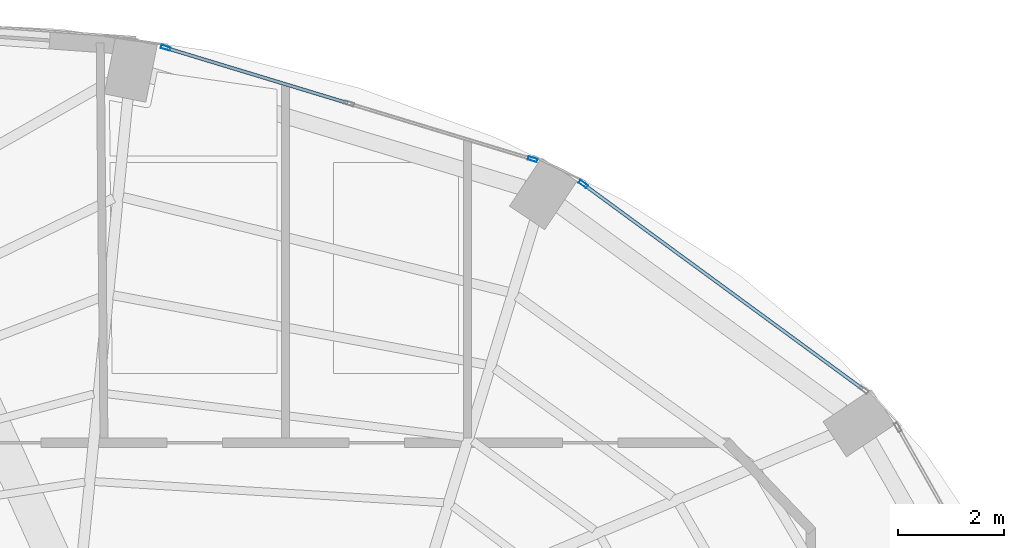
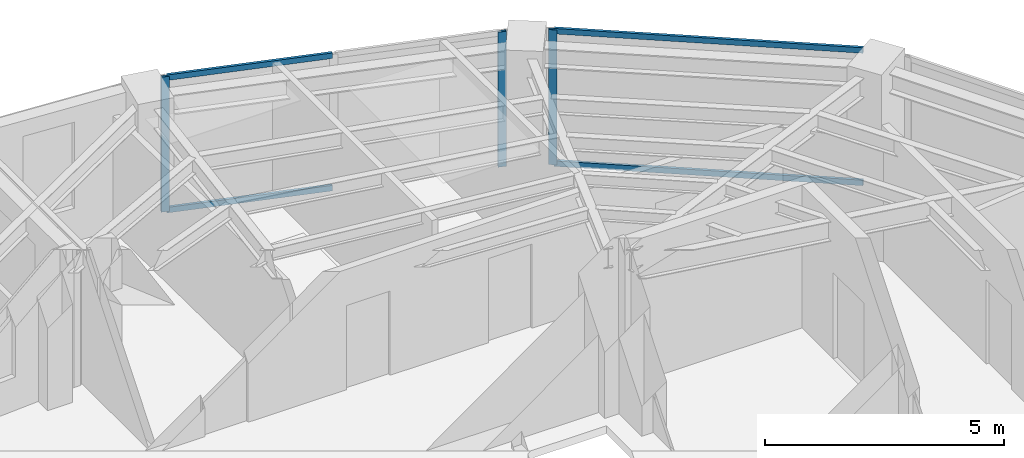
# One storey, part 15 of 21: 7 members, 2 elements without a shape of their own.
"""IFC4 building model written with IfcOpenShell, lengths in metres."""

from ifc_helpers import new_model, si_unit, direction, frame, origin, origin_2d, place, context, subcontext, project, spatial, hollow_rectangle, extrude, material, layer, layer_set, material_profile, profile_set, type_object, element, aggregate, save


model = new_model("IFC4")

# Units and contexts
model_context = context("Model", 3, precision=1e-05, world=origin(), true_north=direction((0.0, 1.0)))
body_context = subcontext(model_context, "Body", "Model", "MODEL_VIEW")
ifc_project = project(units=[si_unit("LENGTHUNIT", "METRE"), si_unit("AREAUNIT", "SQUARE_METRE"), si_unit("VOLUMEUNIT", "CUBIC_METRE"), si_unit("PLANEANGLEUNIT", "RADIAN"), si_unit("MASSUNIT", "GRAM", prefix="KILO")], contexts=[model_context])

# Site, building, storey
site_placement = place(None, origin())
site = spatial("IfcSite", under=ifc_project, at=site_placement, CompositionType="ELEMENT")
building_placement = place(site_placement, origin())
building = spatial("IfcBuilding", under=site, at=building_placement, Name="Lazwardi Medical Tower", CompositionType="ELEMENT")
storey_placement = place(building_placement, frame((0.0, 0.0, 216.719970703125)))
storey = spatial("IfcBuildingStorey", under=building, at=storey_placement, Name="L56", CompositionType="ELEMENT", Elevation=216.719970703125)

# Curtain wall, member
ifc_material_1 = material(Name="Anodised bronze aluminium and solar control glazing", Category="aluminium")
ifc_layer = layer(ifc_material_1, 0.18994140625)
ifc_layer_set = layer_set([ifc_layer], Name="Anodised bronze aluminium and solar control glazing")
curtain_wall_type = type_object("IfcCurtainWallType", Name="CW-SYS-04", PredefinedType="NOTDEFINED", material=ifc_layer_set)
curtain_wall_1_placement = place(storey_placement, origin())
curtain_wall_1 = element("IfcCurtainWall", 1, at=curtain_wall_1_placement, inside=storey, type_object=curtain_wall_type, Name="L56 Unitised bronze curtain wall CW-04", PredefinedType="NOTDEFINED")
ifc_material_2 = material(Name="Anodised bronze aluminium", Category="aluminium")
ifc_material_profile_1 = material_profile(ifc_material_2, hollow_rectangle(XDim=0.06494140625, YDim=0.179931640625, WallThickness=0.00390625, at=origin_2d()), Name="ALU-MULLION 180x65x4")
ifc_profile_set_1 = profile_set([ifc_material_profile_1], Name="Anodised bronze aluminium")
member_type_1 = type_object("IfcMemberType", Name="CW-MUL-03", PredefinedType="MULLION", material=ifc_profile_set_1)
member_1_placement = place(storey_placement, frame((48.75537109375, 43.634765625, 0.0), z_axis=(0.0, 0.0, 1.0), x_axis=(-0.591268230971, -0.806474971121, 0.0)))
member_1 = element("IfcMember", 2, at=member_1_placement, type_object=member_type_1, Name="CW-04 mullion 2", PredefinedType="MULLION", context=body_context, shape_type="SweptSolid", body=[
    extrude(hollow_rectangle(XDim=0.06494140625, YDim=0.179931640625, WallThickness=0.00390625, at=origin_2d()), origin(), (0.0, 0.0, 1.0), 3.447998046875),
])

# Curtain wall, members
curtain_wall_2_placement = place(storey_placement, origin())
curtain_wall_2 = element("IfcCurtainWall", 3, at=curtain_wall_2_placement, inside=storey, type_object=curtain_wall_type, Name="L56 Unitised bronze curtain wall CW-04", PredefinedType="NOTDEFINED")
member_2_placement = place(storey_placement, frame((47.7998046875, 44.103515625, 0.0), z_axis=(0.0, 0.0, 1.0), x_axis=(-0.290581889515, -0.956850126972, 0.0)))
member_2 = element("IfcMember", 4, at=member_2_placement, type_object=member_type_1, Name="CW-04 mullion 1", PredefinedType="MULLION", context=body_context, shape_type="SweptSolid", body=[
    extrude(hollow_rectangle(XDim=0.06494140625, YDim=0.179931640625, WallThickness=0.00390625, at=origin_2d()), origin(), (0.0, 0.0, 1.0), 3.447998046875),
])
member_3_placement = place(storey_placement, frame((40.873046875, 46.20703125, 0.0), z_axis=(0.0, 0.0, 1.0), x_axis=(-0.290581889515, -0.956850126972, 0.0)))
member_3 = element("IfcMember", 5, at=member_3_placement, type_object=member_type_1, Name="CW-04 mullion 3", PredefinedType="MULLION", context=body_context, shape_type="SweptSolid", body=[
    extrude(hollow_rectangle(XDim=0.06494140625, YDim=0.179931640625, WallThickness=0.00390625, at=origin_2d()), origin(), (0.0, 0.0, 1.0), 3.447998046875),
])

# Member
ifc_material_profile_2 = material_profile(ifc_material_2, hollow_rectangle(XDim=0.06494140625, YDim=0.139892578125, WallThickness=0.00341796875, at=origin_2d()), Name="ALU-TRANSOM 140x65x3.5")
ifc_profile_set_2 = profile_set([ifc_material_profile_2], Name="Anodised bronze aluminium")
member_type_2 = type_object("IfcMemberType", Name="CW-TRN-03", PredefinedType="USERDEFINED", material=ifc_profile_set_2)
member_4_placement = place(storey_placement, frame((54.02587890625, 39.770751953125, 0.032470703125), z_axis=(-0.806471831148, 0.591272513791, 0.0), x_axis=(-0.591272513791, -0.806471831148, 0.0)))
member_4 = element("IfcMember", 6, at=member_4_placement, type_object=member_type_2, Name="CW-04 transom 1.1", ObjectType="TRANSOM", PredefinedType="USERDEFINED", context=body_context, shape_type="SweptSolid", body=[
    extrude(hollow_rectangle(XDim=0.06494140625, YDim=0.139892578125, WallThickness=0.00341796875, at=origin_2d()), origin(), (0.0, 0.0, 1.0), 6.5029296875),
])

member_5_placement = place(storey_placement, frame((54.02587890625, 39.770751953125, 3.41552734375), z_axis=(-0.806471831148, 0.591272513791, 0.0), x_axis=(-0.591272513791, -0.806471831148, 0.0)))
member_5 = element("IfcMember", 7, at=member_5_placement, type_object=member_type_2, Name="CW-04 transom 1.2", ObjectType="TRANSOM", PredefinedType="USERDEFINED", context=body_context, shape_type="SweptSolid", body=[
    extrude(hollow_rectangle(XDim=0.06494140625, YDim=0.139892578125, WallThickness=0.00341796875, at=origin_2d()), origin(), (0.0, 0.0, 1.0), 6.5029296875),
])

aggregate(curtain_wall_1, [member_1, member_4, member_5])

member_6_placement = place(storey_placement, frame((44.305419921875, 45.164794921875, 0.032470703125), z_axis=(-0.956862505902, 0.290541124109, 0.0), x_axis=(-0.290541124109, -0.956862505902, 0.0)))
member_6 = element("IfcMember", 8, at=member_6_placement, type_object=member_type_2, Name="CW-04 transom 2.1", ObjectType="TRANSOM", PredefinedType="USERDEFINED", context=body_context, shape_type="SweptSolid", body=[
    extrude(hollow_rectangle(XDim=0.06494140625, YDim=0.139892578125, WallThickness=0.00341796875, at=origin_2d()), origin(), (0.0, 0.0, 1.0), 3.554443359375),
])

member_7_placement = place(storey_placement, frame((44.305419921875, 45.164794921875, 3.41552734375), z_axis=(-0.956862505902, 0.290541124109, 0.0), x_axis=(-0.290541124109, -0.956862505902, 0.0)))
member_7 = element("IfcMember", 9, at=member_7_placement, type_object=member_type_2, Name="CW-04 transom 2.2", ObjectType="TRANSOM", PredefinedType="USERDEFINED", context=body_context, shape_type="SweptSolid", body=[
    extrude(hollow_rectangle(XDim=0.06494140625, YDim=0.139892578125, WallThickness=0.00341796875, at=origin_2d()), origin(), (0.0, 0.0, 1.0), 3.554443359375),
])

aggregate(curtain_wall_2, [member_2, member_3, member_6, member_7])

save(model, "model.ifc")
